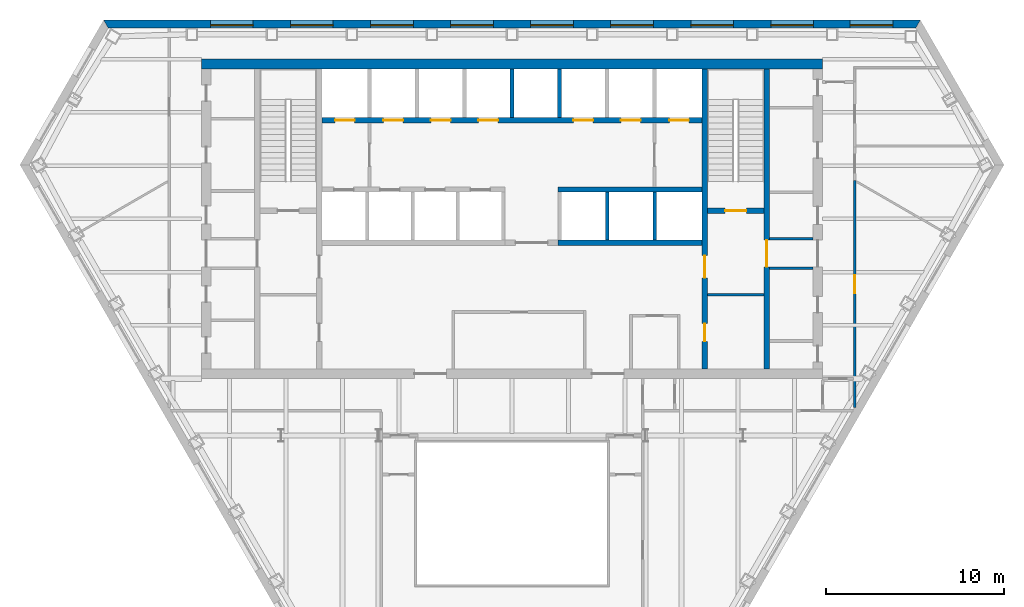
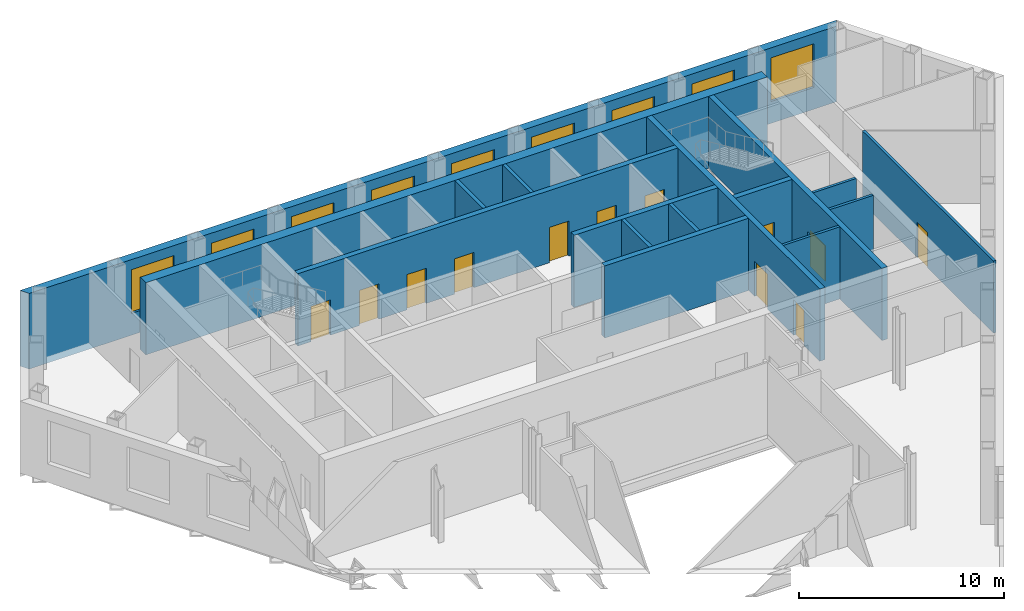
# One storey, part 7 of 11: 16 walls, 12 doors, 9 windows, 21 openings.
"""IFC4 building model written with IfcOpenShell, lengths in metres."""

from ifc_helpers import new_model, si_unit, direction, frame, frame_2d, origin, place, context, subcontext, project, spatial, polyline, rectangle, outline, extrude, material, layer, layer_set, type_object, element, fill, save


model = new_model("IFC4")

# Units and contexts
model_context = context("Model", 3, precision=1e-05, world=origin(), true_north=direction((0.0, 1.0)))
body_context = subcontext(model_context, "Body", "Model", "MODEL_VIEW")
ifc_project = project(units=[si_unit("LENGTHUNIT", "METRE"), si_unit("AREAUNIT", "SQUARE_METRE"), si_unit("VOLUMEUNIT", "CUBIC_METRE"), si_unit("PLANEANGLEUNIT", "RADIAN"), si_unit("MASSUNIT", "GRAM", prefix="KILO")], contexts=[model_context])

# Site, building, storey
site_placement = place(None, origin())
site = spatial("IfcSite", under=ifc_project, at=site_placement, CompositionType="ELEMENT")
building_placement = place(site_placement, origin())
building = spatial("IfcBuilding", under=site, at=building_placement, Name="Njiva Tower", CompositionType="ELEMENT")
storey_placement = place(building_placement, frame((0.0, 0.0, 124.8)))
storey = spatial("IfcBuildingStorey", under=building, at=storey_placement, Name="L26", CompositionType="ELEMENT", Elevation=124.8)

# Wall
ifc_material_1 = material(Name="Blockwork", Category="masonry")
ifc_layer_1 = layer(ifc_material_1, 0.15)
ifc_layer_set_1 = layer_set([ifc_layer_1], Name="Blockwork")
wall_type_1 = type_object("IfcWallType", Name="WT1 Compartment partition 150", PredefinedType="PARTITIONING", material=ifc_layer_set_1)
wall_1_placement = place(storey_placement, frame((11.0, 4.725, 0.0), z_axis=(0.0, 0.0, 1.0), x_axis=(1.0, 0.0, 0.0)))
element("IfcWall", 1, at=wall_1_placement, inside=storey, type_object=wall_type_1, Name="Room wall B", PredefinedType="PARTITIONING", context=body_context, shape_type="SweptSolid", body=[
    extrude(rectangle(XDim=3.2, YDim=0.15, at=frame_2d((1.6, 0.0))), origin(), (0.0, 0.0, 1.0), 4.3),
])

# Wall, openings, doors
ifc_material_2 = material(Name="Concrete C40/50", Category="concrete")
ifc_layer_2 = layer(ifc_material_2, 0.3)
ifc_layer_set_2 = layer_set([ifc_layer_2], Name="Concrete C40/50")
wall_type_2 = type_object("IfcWallType", Name="WT10 Stair enclosure wall 300", PredefinedType="SHEAR", material=ifc_layer_set_2)
wall_2_placement = place(storey_placement, frame((10.85, 0.55, 0.0), z_axis=(0.0, 0.0, 1.0), x_axis=(0.0, 1.0, 0.0)))
wall_2 = element("IfcWall", 2, at=wall_2_placement, inside=storey, type_object=wall_type_2, Name="Stair wall east inner", PredefinedType="SHEAR", context=body_context, shape_type="SweptSolid", body=[
    extrude(rectangle(XDim=16.9, YDim=0.3, at=frame_2d((8.45, 0.0))), origin(), (0.0, 0.0, 1.0), 4.3),
])
opening_1_placement = place(wall_2_placement, frame((5.125, 0.0, 0.0)))
opening_1 = element("IfcOpeningElement", 3, at=opening_1_placement, cuts=wall_2, Name="Opening S09-D918", PredefinedType="OPENING", context=body_context, shape_type="SweptSolid", body=[
    extrude(rectangle(XDim=1.25, YDim=2.1, at=frame_2d((0.625, 1.05))), frame((0.0, 0.16, 0.0), z_axis=(0.0, -1.0, 0.0), x_axis=(1.0, 0.0, 0.0)), (0.0, 0.0, 1.0), 0.32),
])
opening_2_placement = place(wall_2_placement, frame((1.55, 0.0, 0.0)))
opening_2 = element("IfcOpeningElement", 4, at=opening_2_placement, cuts=wall_2, Name="Opening S09-D919", PredefinedType="OPENING", context=body_context, shape_type="SweptSolid", body=[
    extrude(rectangle(XDim=1.0, YDim=2.1, at=frame_2d((0.5, 1.05))), frame((0.0, 0.16, 0.0), z_axis=(0.0, -1.0, 0.0), x_axis=(1.0, 0.0, 0.0)), (0.0, 0.0, 1.0), 0.32),
])
ifc_material_3 = material(Name="Steel door, painted", Category="steel")
door_type_1 = type_object("IfcDoorType", Name="D5 Steel door 1000x2100", OperationType="SINGLE_SWING_LEFT", PredefinedType="DOOR", material=ifc_material_3)
door_1_placement = place(opening_2_placement, origin())
door_1 = element("IfcDoor", 5, at=door_1_placement, inside=storey, type_object=door_type_1, Name="Prayer room door", OperationType="SINGLE_SWING_LEFT", OverallHeight=2.1, OverallWidth=1.0, PredefinedType="DOOR", context=body_context, shape_type="SweptSolid", body=[
    extrude(rectangle(XDim=1.0, YDim=2.1, at=frame_2d((0.5, 1.05))), frame((0.0, 0.025, 0.0), z_axis=(0.0, -1.0, 0.0), x_axis=(1.0, 0.0, 0.0)), (0.0, 0.0, 1.0), 0.05),
])
fill(opening_2, door_1)
ifc_material_4 = material(Name="Glazed steel fire door", Category="steel")
door_type_2 = type_object("IfcDoorType", Name="D8 Vestibule corridor door 1250x2100 glazed", OperationType="SINGLE_SWING_LEFT", PredefinedType="DOOR", material=ifc_material_4)
door_2_placement = place(opening_1_placement, origin())
door_2 = element("IfcDoor", 6, at=door_2_placement, inside=storey, type_object=door_type_2, Name="Stair vestibule corridor door", OperationType="SINGLE_SWING_RIGHT", OverallHeight=2.1, OverallWidth=1.25, PredefinedType="DOOR", context=body_context, shape_type="SweptSolid", body=[
    extrude(rectangle(XDim=1.25, YDim=2.1, at=frame_2d((0.625, 1.05))), frame((0.0, 0.025, 0.0), z_axis=(0.0, -1.0, 0.0), x_axis=(1.0, 0.0, 0.0)), (0.0, 0.0, 1.0), 0.05),
])
fill(opening_1, door_2)

# Wall, opening, door
wall_3_placement = place(storey_placement, frame((14.35, 0.55, 0.0), z_axis=(0.0, 0.0, 1.0), x_axis=(0.0, 1.0, 0.0)))
wall_3 = element("IfcWall", 7, at=wall_3_placement, inside=storey, type_object=wall_type_2, Name="Stair wall east outer", PredefinedType="SHEAR", context=body_context, shape_type="SweptSolid", body=[
    extrude(rectangle(XDim=16.9, YDim=0.3, at=frame_2d((8.45, 0.0))), origin(), (0.0, 0.0, 1.0), 4.3),
])
opening_3_placement = place(wall_3_placement, frame((5.75, 0.0, 0.0)))
opening_3 = element("IfcOpeningElement", 8, at=opening_3_placement, cuts=wall_3, Name="Opening S09-D927", PredefinedType="OPENING", context=body_context, shape_type="SweptSolid", body=[
    extrude(rectangle(XDim=1.5, YDim=2.1, at=frame_2d((0.75, 1.05))), frame((0.0, 0.16, 0.0), z_axis=(0.0, -1.0, 0.0), x_axis=(1.0, 0.0, 0.0)), (0.0, 0.0, 1.0), 0.32),
])
door_type_3 = type_object("IfcDoorType", Name="D10 Exit door double 1500x2100 glazed", OperationType="DOUBLE_DOOR_SINGLE_SWING", PredefinedType="DOOR", material=ifc_material_4)
door_3_placement = place(opening_3_placement, origin())
door_3 = element("IfcDoor", 9, at=door_3_placement, inside=storey, type_object=door_type_3, Name="Stair B passage door", OperationType="DOUBLE_DOOR_SINGLE_SWING", OverallHeight=2.1, OverallWidth=1.5, PredefinedType="DOOR", context=body_context, shape_type="SweptSolid", body=[
    extrude(rectangle(XDim=1.5, YDim=2.1, at=frame_2d((0.75, 1.05))), frame((0.0, 0.025, 0.0), z_axis=(0.0, -1.0, 0.0), x_axis=(1.0, 0.0, 0.0)), (0.0, 0.0, 1.0), 0.05),
])
fill(opening_3, door_3)

wall_4_placement = place(storey_placement, frame((11.0, 9.45, 0.0), z_axis=(0.0, 0.0, 1.0), x_axis=(1.0, 0.0, 0.0)))
wall_4 = element("IfcWall", 10, at=wall_4_placement, inside=storey, type_object=wall_type_2, Name="Stair B south wall", PredefinedType="SHEAR", context=body_context, shape_type="SweptSolid", body=[
    extrude(rectangle(XDim=3.2, YDim=0.3, at=frame_2d((1.6, 0.0))), origin(), (0.0, 0.0, 1.0), 4.3),
])
opening_4_placement = place(wall_4_placement, frame((1.0, 0.0, 0.0)))
opening_4 = element("IfcOpeningElement", 11, at=opening_4_placement, cuts=wall_4, Name="Opening S09-D917", PredefinedType="OPENING", context=body_context, shape_type="SweptSolid", body=[
    extrude(rectangle(XDim=1.2, YDim=2.1, at=frame_2d((0.6, 1.05))), frame((0.0, 0.16, 0.0), z_axis=(0.0, -1.0, 0.0), x_axis=(1.0, 0.0, 0.0)), (0.0, 0.0, 1.0), 0.32),
])
door_type_4 = type_object("IfcDoorType", Name="D7 Stair vestibule door 1200x2100 glazed", OperationType="SINGLE_SWING_LEFT", PredefinedType="DOOR", material=ifc_material_4)
door_4_placement = place(opening_4_placement, origin())
door_4 = element("IfcDoor", 12, at=door_4_placement, inside=storey, type_object=door_type_4, Name="Stair B door", OperationType="SINGLE_SWING_LEFT", OverallHeight=2.1, OverallWidth=1.2, PredefinedType="DOOR", context=body_context, shape_type="SweptSolid", body=[
    extrude(rectangle(XDim=1.2, YDim=2.1, at=frame_2d((0.6, 1.05))), frame((0.0, 0.025, 0.0), z_axis=(0.0, -1.0, 0.0), x_axis=(1.0, 0.0, 0.0)), (0.0, 0.0, 1.0), 0.05),
])
fill(opening_4, door_4)

# Wall
ifc_material_5 = material(Name="Concrete C60/75", Category="concrete")
ifc_layer_3 = layer(ifc_material_5, 0.55)
ifc_layer_set_3 = layer_set([ifc_layer_3], Name="Concrete C60/75")
wall_type_3 = type_object("IfcWallType", Name="WT14 Core wall 550", PredefinedType="SHEAR", material=ifc_layer_set_3)
wall_5_placement = place(storey_placement, frame((-17.5, 17.725, 0.0), z_axis=(0.0, 0.0, 1.0), x_axis=(1.0, 0.0, 0.0)))
element("IfcWall", 13, at=wall_5_placement, inside=storey, type_object=wall_type_3, Name="Core wall north", PredefinedType="SHEAR", context=body_context, shape_type="SweptSolid", body=[
    extrude(rectangle(XDim=35.0, YDim=0.55, at=frame_2d((17.5, 0.0))), origin(), (0.0, 0.0, 1.0), 4.3),
])

# Wall, opening, door
ifc_material_6 = material(Name="Gypsum board on steel studs", Category="gypsum")
ifc_layer_4 = layer(ifc_material_6, 0.15)
ifc_layer_set_4 = layer_set([ifc_layer_4], Name="Gypsum board on steel studs")
wall_type_4 = type_object("IfcWallType", Name="WT21 Compartment wall 150", PredefinedType="PARTITIONING", material=ifc_layer_set_4)
wall_6_placement = place(storey_placement, frame((19.3, -1.622, 0.0), z_axis=(0.0, 0.0, 1.0), x_axis=(0.0, 1.0, 0.0)))
wall_6 = element("IfcWall", 14, at=wall_6_placement, inside=storey, type_object=wall_type_4, Name="Partition S09-P021", PredefinedType="PARTITIONING", context=body_context, shape_type="SweptSolid", body=[
    extrude(rectangle(XDim=12.792, YDim=0.15, at=frame_2d((6.396, 0.0))), origin(), (0.0, 0.0, 1.0), 4.3),
])
opening_5_placement = place(wall_6_placement, frame((6.443, 0.0, 0.0)))
opening_5 = element("IfcOpeningElement", 15, at=opening_5_placement, cuts=wall_6, Name="Opening S09-D015", PredefinedType="OPENING", context=body_context, shape_type="SweptSolid", body=[
    extrude(rectangle(XDim=1.0, YDim=2.1, at=frame_2d((0.5, 1.05))), frame((0.0, 0.085, 0.0), z_axis=(0.0, -1.0, 0.0), x_axis=(1.0, 0.0, 0.0)), (0.0, 0.0, 1.0), 0.17),
])
ifc_material_7 = material(Name="Steel fire door set", Category="steel")
door_type_5 = type_object("IfcDoorType", Name="D37 Fire door 1000x2100", OperationType="SINGLE_SWING_LEFT", PredefinedType="DOOR", material=ifc_material_7)
door_5_placement = place(opening_5_placement, origin())
door_5 = element("IfcDoor", 16, at=door_5_placement, inside=storey, type_object=door_type_5, Name="Door S09-D015", OperationType="SINGLE_SWING_RIGHT", OverallHeight=2.1, OverallWidth=1.0, PredefinedType="DOOR", context=body_context, shape_type="SweptSolid", body=[
    extrude(rectangle(XDim=1.0, YDim=2.1, at=frame_2d((0.5, 1.05))), frame((0.0, 0.025, 0.0), z_axis=(0.0, -1.0, 0.0), x_axis=(1.0, 0.0, 0.0)), (0.0, 0.0, 1.0), 0.05),
])
fill(opening_5, door_5)

# Walls
ifc_layer_5 = layer(ifc_material_1, 0.15)
ifc_layer_set_5 = layer_set([ifc_layer_5], Name="Blockwork")
wall_type_5 = type_object("IfcWallType", Name="WT4 Stair partition 150", PredefinedType="PARTITIONING", material=ifc_layer_set_5)
for number, where, z_axis, x_axis, name in (
    (17, (14.5, 6.225, 0.0), (0.0, 0.0, 1.0), (1.0, 0.0, 0.0), "Stair B exit passage wall south"),
    (18, (14.5, 7.875, 0.0), (0.0, 0.0, 1.0), (1.0, 0.0, 0.0), "Stair B exit passage wall north"),
):
    element("IfcWall", number, at=place(storey_placement, frame(where, z_axis=z_axis, x_axis=x_axis)), inside=storey, type_object=wall_type_5, Name=name, PredefinedType="PARTITIONING", context=body_context, shape_type="SweptSolid", body=[
        extrude(rectangle(XDim=2.45, YDim=0.15, at=frame_2d((1.225, 0.0))), origin(), (0.0, 0.0, 1.0), 4.3),
    ])
ifc_layer_6 = layer(ifc_material_2, 0.2)
ifc_layer_set_6 = layer_set([ifc_layer_6], Name="Concrete C40/50")
wall_type_6 = type_object("IfcWallType", Name="WT6 Lift shaft wall 200", PredefinedType="SHEAR", material=ifc_layer_set_6)
for number, where, z_axis, x_axis, name in (
    (19, (0.0, 14.7, 0.0), (0.0, 0.0, 1.0), (0.0, 1.0, 0.0), "Shaft wall CN4"),
    (20, (2.675, 14.7, 0.0), (0.0, 0.0, 1.0), (0.0, 1.0, 0.0), "Shaft wall CN5"),
):
    element("IfcWall", number, at=place(storey_placement, frame(where, z_axis=z_axis, x_axis=x_axis)), inside=storey, type_object=wall_type_6, Name=name, PredefinedType="SHEAR", context=body_context, shape_type="SweptSolid", body=[
        extrude(rectangle(XDim=2.75, YDim=0.2, at=frame_2d((1.375, 0.0))), origin(), (0.0, 0.0, 1.0), 4.3),
    ])
for number, where, z_axis, x_axis, name in (
    (21, (5.3667, 7.8, 0.0), (0.0, 0.0, 1.0), (0.0, 1.0, 0.0), "Shaft wall CS6"),
    (22, (8.0333, 7.8, 0.0), (0.0, 0.0, 1.0), (0.0, 1.0, 0.0), "Shaft wall CS7"),
):
    element("IfcWall", number, at=place(storey_placement, frame(where, z_axis=z_axis, x_axis=x_axis)), inside=storey, type_object=wall_type_6, Name=name, PredefinedType="SHEAR", context=body_context, shape_type="SweptSolid", body=[
        extrude(rectangle(XDim=2.7, YDim=0.2, at=frame_2d((1.35, 0.0))), origin(), (0.0, 0.0, 1.0), 4.3),
    ])

# Wall, openings, doors
ifc_layer_7 = layer(ifc_material_2, 0.3)
ifc_layer_set_7 = layer_set([ifc_layer_7], Name="Concrete C40/50")
wall_type_7 = type_object("IfcWallType", Name="WT7 Lift shaft wall 300", PredefinedType="SHEAR", material=ifc_layer_set_7)
wall_7_placement = place(storey_placement, frame((-10.7, 14.55, 0.0), z_axis=(0.0, 0.0, 1.0), x_axis=(1.0, 0.0, 0.0)))
wall_7 = element("IfcWall", 23, at=wall_7_placement, inside=storey, type_object=wall_type_7, Name="Shaft wall north row lobby side", PredefinedType="SHEAR", context=body_context, shape_type="SweptSolid", body=[
    extrude(rectangle(XDim=21.4, YDim=0.3, at=frame_2d((10.7, 0.0))), origin(), (0.0, 0.0, 1.0), 4.3),
])
opening_6_placement = place(wall_7_placement, frame((0.7375, 0.0, 0.0)))
opening_6 = element("IfcOpeningElement", 24, at=opening_6_placement, cuts=wall_7, Name="Opening S09-D901", PredefinedType="OPENING", context=body_context, shape_type="SweptSolid", body=[
    extrude(rectangle(XDim=1.1, YDim=2.1, at=frame_2d((0.55, 1.05))), frame((0.0, 0.16, 0.0), z_axis=(0.0, -1.0, 0.0), x_axis=(1.0, 0.0, 0.0)), (0.0, 0.0, 1.0), 0.32),
])
opening_7_placement = place(wall_7_placement, frame((3.4625, 0.0, 0.0)))
opening_7 = element("IfcOpeningElement", 25, at=opening_7_placement, cuts=wall_7, Name="Opening S09-D902", PredefinedType="OPENING", context=body_context, shape_type="SweptSolid", body=[
    extrude(rectangle(XDim=1.1, YDim=2.1, at=frame_2d((0.55, 1.05))), frame((0.0, 0.16, 0.0), z_axis=(0.0, -1.0, 0.0), x_axis=(1.0, 0.0, 0.0)), (0.0, 0.0, 1.0), 0.32),
])
opening_8_placement = place(wall_7_placement, frame((6.1375, 0.0, 0.0)))
opening_8 = element("IfcOpeningElement", 26, at=opening_8_placement, cuts=wall_7, Name="Opening S09-D903", PredefinedType="OPENING", context=body_context, shape_type="SweptSolid", body=[
    extrude(rectangle(XDim=1.1, YDim=2.1, at=frame_2d((0.55, 1.05))), frame((0.0, 0.16, 0.0), z_axis=(0.0, -1.0, 0.0), x_axis=(1.0, 0.0, 0.0)), (0.0, 0.0, 1.0), 0.32),
])
opening_9_placement = place(wall_7_placement, frame((8.8125, 0.0, 0.0)))
opening_9 = element("IfcOpeningElement", 27, at=opening_9_placement, cuts=wall_7, Name="Opening S09-D904", PredefinedType="OPENING", context=body_context, shape_type="SweptSolid", body=[
    extrude(rectangle(XDim=1.1, YDim=2.1, at=frame_2d((0.55, 1.05))), frame((0.0, 0.16, 0.0), z_axis=(0.0, -1.0, 0.0), x_axis=(1.0, 0.0, 0.0)), (0.0, 0.0, 1.0), 0.32),
])
opening_10_placement = place(wall_7_placement, frame((14.1625, 0.0, 0.0)))
opening_10 = element("IfcOpeningElement", 28, at=opening_10_placement, cuts=wall_7, Name="Opening S09-D905", PredefinedType="OPENING", context=body_context, shape_type="SweptSolid", body=[
    extrude(rectangle(XDim=1.1, YDim=2.1, at=frame_2d((0.55, 1.05))), frame((0.0, 0.16, 0.0), z_axis=(0.0, -1.0, 0.0), x_axis=(1.0, 0.0, 0.0)), (0.0, 0.0, 1.0), 0.32),
])
opening_11_placement = place(wall_7_placement, frame((16.8375, 0.0, 0.0)))
opening_11 = element("IfcOpeningElement", 29, at=opening_11_placement, cuts=wall_7, Name="Opening S09-D906", PredefinedType="OPENING", context=body_context, shape_type="SweptSolid", body=[
    extrude(rectangle(XDim=1.1, YDim=2.1, at=frame_2d((0.55, 1.05))), frame((0.0, 0.16, 0.0), z_axis=(0.0, -1.0, 0.0), x_axis=(1.0, 0.0, 0.0)), (0.0, 0.0, 1.0), 0.32),
])
opening_12_placement = place(wall_7_placement, frame((19.5625, 0.0, 0.0)))
opening_12 = element("IfcOpeningElement", 30, at=opening_12_placement, cuts=wall_7, Name="Opening S09-D907", PredefinedType="OPENING", context=body_context, shape_type="SweptSolid", body=[
    extrude(rectangle(XDim=1.1, YDim=2.1, at=frame_2d((0.55, 1.05))), frame((0.0, 0.16, 0.0), z_axis=(0.0, -1.0, 0.0), x_axis=(1.0, 0.0, 0.0)), (0.0, 0.0, 1.0), 0.32),
])
ifc_material_8 = material(Name="Stainless steel sliding door", Category="steel")
door_type_6 = type_object("IfcDoorType", Name="LD Lift landing door 1100x2100", OperationType="SLIDING_TO_LEFT", PredefinedType="DOOR", material=ifc_material_8)
door_6_placement = place(opening_6_placement, origin())
door_6 = element("IfcDoor", 31, at=door_6_placement, inside=storey, type_object=door_type_6, Name="Lift landing door FF1", OperationType="SLIDING_TO_LEFT", OverallHeight=2.1, OverallWidth=1.1, PredefinedType="DOOR", context=body_context, shape_type="SweptSolid", body=[
    extrude(rectangle(XDim=1.1, YDim=2.1, at=frame_2d((0.55, 1.05))), frame((0.0, 0.025, 0.0), z_axis=(0.0, -1.0, 0.0), x_axis=(1.0, 0.0, 0.0)), (0.0, 0.0, 1.0), 0.05),
])
fill(opening_6, door_6)
door_7_placement = place(opening_7_placement, origin())
door_7 = element("IfcDoor", 32, at=door_7_placement, inside=storey, type_object=door_type_6, Name="Lift landing door LB1", OperationType="SLIDING_TO_LEFT", OverallHeight=2.1, OverallWidth=1.1, PredefinedType="DOOR", context=body_context, shape_type="SweptSolid", body=[
    extrude(rectangle(XDim=1.1, YDim=2.1, at=frame_2d((0.55, 1.05))), frame((0.0, 0.025, 0.0), z_axis=(0.0, -1.0, 0.0), x_axis=(1.0, 0.0, 0.0)), (0.0, 0.0, 1.0), 0.05),
])
fill(opening_7, door_7)
door_8_placement = place(opening_8_placement, origin())
door_8 = element("IfcDoor", 33, at=door_8_placement, inside=storey, type_object=door_type_6, Name="Lift landing door LB2", OperationType="SLIDING_TO_LEFT", OverallHeight=2.1, OverallWidth=1.1, PredefinedType="DOOR", context=body_context, shape_type="SweptSolid", body=[
    extrude(rectangle(XDim=1.1, YDim=2.1, at=frame_2d((0.55, 1.05))), frame((0.0, 0.025, 0.0), z_axis=(0.0, -1.0, 0.0), x_axis=(1.0, 0.0, 0.0)), (0.0, 0.0, 1.0), 0.05),
])
fill(opening_8, door_8)
door_9_placement = place(opening_9_placement, origin())
door_9 = element("IfcDoor", 34, at=door_9_placement, inside=storey, type_object=door_type_6, Name="Lift landing door LB3", OperationType="SLIDING_TO_LEFT", OverallHeight=2.1, OverallWidth=1.1, PredefinedType="DOOR", context=body_context, shape_type="SweptSolid", body=[
    extrude(rectangle(XDim=1.1, YDim=2.1, at=frame_2d((0.55, 1.05))), frame((0.0, 0.025, 0.0), z_axis=(0.0, -1.0, 0.0), x_axis=(1.0, 0.0, 0.0)), (0.0, 0.0, 1.0), 0.05),
])
fill(opening_9, door_9)
door_10_placement = place(opening_10_placement, origin())
door_10 = element("IfcDoor", 35, at=door_10_placement, inside=storey, type_object=door_type_6, Name="Lift landing door FR1", OperationType="SLIDING_TO_LEFT", OverallHeight=2.1, OverallWidth=1.1, PredefinedType="DOOR", context=body_context, shape_type="SweptSolid", body=[
    extrude(rectangle(XDim=1.1, YDim=2.1, at=frame_2d((0.55, 1.05))), frame((0.0, 0.025, 0.0), z_axis=(0.0, -1.0, 0.0), x_axis=(1.0, 0.0, 0.0)), (0.0, 0.0, 1.0), 0.05),
])
fill(opening_10, door_10)
door_11_placement = place(opening_11_placement, origin())
door_11 = element("IfcDoor", 36, at=door_11_placement, inside=storey, type_object=door_type_6, Name="Lift landing door FR2", OperationType="SLIDING_TO_LEFT", OverallHeight=2.1, OverallWidth=1.1, PredefinedType="DOOR", context=body_context, shape_type="SweptSolid", body=[
    extrude(rectangle(XDim=1.1, YDim=2.1, at=frame_2d((0.55, 1.05))), frame((0.0, 0.025, 0.0), z_axis=(0.0, -1.0, 0.0), x_axis=(1.0, 0.0, 0.0)), (0.0, 0.0, 1.0), 0.05),
])
fill(opening_11, door_11)
door_12_placement = place(opening_12_placement, origin())
door_12 = element("IfcDoor", 37, at=door_12_placement, inside=storey, type_object=door_type_6, Name="Lift landing door FF2", OperationType="SLIDING_TO_LEFT", OverallHeight=2.1, OverallWidth=1.1, PredefinedType="DOOR", context=body_context, shape_type="SweptSolid", body=[
    extrude(rectangle(XDim=1.1, YDim=2.1, at=frame_2d((0.55, 1.05))), frame((0.0, 0.025, 0.0), z_axis=(0.0, -1.0, 0.0), x_axis=(1.0, 0.0, 0.0)), (0.0, 0.0, 1.0), 0.05),
])
fill(opening_12, door_12)

# Walls
for number, where, z_axis, x_axis, name in (
    (38, (2.6, 10.65, 0.0), (0.0, 0.0, 1.0), (1.0, 0.0, 0.0), "Shaft wall south row lobby side E"),
    (39, (2.6, 7.65, 0.0), (0.0, 0.0, 1.0), (1.0, 0.0, 0.0), "Shaft wall south row back E"),
):
    element("IfcWall", number, at=place(storey_placement, frame(where, z_axis=z_axis, x_axis=x_axis)), inside=storey, type_object=wall_type_7, Name=name, PredefinedType="SHEAR", context=body_context, shape_type="SweptSolid", body=[
        extrude(rectangle(XDim=8.1, YDim=0.3, at=frame_2d((4.05, 0.0))), origin(), (0.0, 0.0, 1.0), 4.3),
    ])

# Wall, openings, windows
ifc_material_9 = material(Name="Brick masonry", Category="masonry")
ifc_layer_8 = layer(ifc_material_9, 0.45)
ifc_layer_set_8 = layer_set([ifc_layer_8], Name="Brick masonry")
wall_type_8 = type_object("IfcWallType", Name="WT90 Brick pier and spandrel wall 450", PredefinedType="SOLIDWALL", material=ifc_layer_set_8)
wall_8_placement = place(storey_placement, frame((22.8701, 19.975, -0.4), z_axis=(0.0, 0.0, 1.0), x_axis=(-1.0, 0.0, 0.0)))
wall_8 = element("IfcWall", 40, at=wall_8_placement, inside=storey, type_object=wall_type_8, Name="Facade wall N", PredefinedType="SOLIDWALL", context=body_context, shape_type="SweptSolid", body=[
    extrude(outline(polyline([(-0.1299, -0.225), (45.8701, -0.225), (45.6103, 0.225), (0.1299, 0.225), (-0.1299, -0.225)])), origin(), (0.0, 0.0, 1.0), 4.5),
])
opening_13_placement = place(wall_8_placement, frame((1.4242, 0.0, 1.3)))
opening_13 = element("IfcOpeningElement", 41, at=opening_13_placement, cuts=wall_8, Name="Opening S09-W01", PredefinedType="OPENING", context=body_context, shape_type="SweptSolid", body=[
    extrude(rectangle(XDim=2.4, YDim=2.6, at=frame_2d((1.2, 1.3))), frame((0.0, 0.235, 0.0), z_axis=(0.0, -1.0, 0.0), x_axis=(1.0, 0.0, 0.0)), (0.0, 0.0, 1.0), 0.47),
])
opening_14_placement = place(wall_8_placement, frame((5.8934, 0.0, 1.3)))
opening_14 = element("IfcOpeningElement", 42, at=opening_14_placement, cuts=wall_8, Name="Opening S09-W02", PredefinedType="OPENING", context=body_context, shape_type="SweptSolid", body=[
    extrude(rectangle(XDim=2.4, YDim=2.6, at=frame_2d((1.2, 1.3))), frame((0.0, 0.235, 0.0), z_axis=(0.0, -1.0, 0.0), x_axis=(1.0, 0.0, 0.0)), (0.0, 0.0, 1.0), 0.47),
])
opening_15_placement = place(wall_8_placement, frame((10.401, 0.0, 1.3)))
opening_15 = element("IfcOpeningElement", 43, at=opening_15_placement, cuts=wall_8, Name="Opening S09-W03", PredefinedType="OPENING", context=body_context, shape_type="SweptSolid", body=[
    extrude(rectangle(XDim=2.4, YDim=2.6, at=frame_2d((1.2, 1.3))), frame((0.0, 0.235, 0.0), z_axis=(0.0, -1.0, 0.0), x_axis=(1.0, 0.0, 0.0)), (0.0, 0.0, 1.0), 0.47),
])
opening_16_placement = place(wall_8_placement, frame((14.9087, 0.0, 1.3)))
opening_16 = element("IfcOpeningElement", 44, at=opening_16_placement, cuts=wall_8, Name="Opening S09-W04", PredefinedType="OPENING", context=body_context, shape_type="SweptSolid", body=[
    extrude(rectangle(XDim=2.4, YDim=2.6, at=frame_2d((1.2, 1.3))), frame((0.0, 0.235, 0.0), z_axis=(0.0, -1.0, 0.0), x_axis=(1.0, 0.0, 0.0)), (0.0, 0.0, 1.0), 0.47),
])
opening_17_placement = place(wall_8_placement, frame((19.4163, 0.0, 1.3)))
opening_17 = element("IfcOpeningElement", 45, at=opening_17_placement, cuts=wall_8, Name="Opening S09-W05", PredefinedType="OPENING", context=body_context, shape_type="SweptSolid", body=[
    extrude(rectangle(XDim=2.4, YDim=2.6, at=frame_2d((1.2, 1.3))), frame((0.0, 0.235, 0.0), z_axis=(0.0, -1.0, 0.0), x_axis=(1.0, 0.0, 0.0)), (0.0, 0.0, 1.0), 0.47),
])
opening_18_placement = place(wall_8_placement, frame((23.9239, 0.0, 1.3)))
opening_18 = element("IfcOpeningElement", 46, at=opening_18_placement, cuts=wall_8, Name="Opening S09-W06", PredefinedType="OPENING", context=body_context, shape_type="SweptSolid", body=[
    extrude(rectangle(XDim=2.4, YDim=2.6, at=frame_2d((1.2, 1.3))), frame((0.0, 0.235, 0.0), z_axis=(0.0, -1.0, 0.0), x_axis=(1.0, 0.0, 0.0)), (0.0, 0.0, 1.0), 0.47),
])
opening_19_placement = place(wall_8_placement, frame((28.4315, 0.0, 1.3)))
opening_19 = element("IfcOpeningElement", 47, at=opening_19_placement, cuts=wall_8, Name="Opening S09-W07", PredefinedType="OPENING", context=body_context, shape_type="SweptSolid", body=[
    extrude(rectangle(XDim=2.4, YDim=2.6, at=frame_2d((1.2, 1.3))), frame((0.0, 0.235, 0.0), z_axis=(0.0, -1.0, 0.0), x_axis=(1.0, 0.0, 0.0)), (0.0, 0.0, 1.0), 0.47),
])
opening_20_placement = place(wall_8_placement, frame((32.9391, 0.0, 1.3)))
opening_20 = element("IfcOpeningElement", 48, at=opening_20_placement, cuts=wall_8, Name="Opening S09-W08", PredefinedType="OPENING", context=body_context, shape_type="SweptSolid", body=[
    extrude(rectangle(XDim=2.4, YDim=2.6, at=frame_2d((1.2, 1.3))), frame((0.0, 0.235, 0.0), z_axis=(0.0, -1.0, 0.0), x_axis=(1.0, 0.0, 0.0)), (0.0, 0.0, 1.0), 0.47),
])
opening_21_placement = place(wall_8_placement, frame((37.4468, 0.0, 1.3)))
opening_21 = element("IfcOpeningElement", 49, at=opening_21_placement, cuts=wall_8, Name="Opening S09-W09", PredefinedType="OPENING", context=body_context, shape_type="SweptSolid", body=[
    extrude(rectangle(XDim=2.4, YDim=2.6, at=frame_2d((1.2, 1.3))), frame((0.0, 0.235, 0.0), z_axis=(0.0, -1.0, 0.0), x_axis=(1.0, 0.0, 0.0)), (0.0, 0.0, 1.0), 0.47),
])
ifc_material_10 = material(Name="Clear glazing in aluminium frame", Category="aluminium")
window_type = type_object("IfcWindowType", Name="W92 Deep-set window 2400x2600", PartitioningType="SINGLE_PANEL", PredefinedType="WINDOW", material=ifc_material_10)
window_1_placement = place(opening_13_placement, origin())
window_1 = element("IfcWindow", 50, at=window_1_placement, inside=storey, type_object=window_type, Name="Window", OverallHeight=2.6, OverallWidth=2.4, PartitioningType="SINGLE_PANEL", PredefinedType="WINDOW", context=body_context, shape_type="SweptSolid", body=[
    extrude(rectangle(XDim=2.4, YDim=2.6, at=frame_2d((1.2, 1.3))), frame((0.0, 0.105, 0.0), z_axis=(0.0, -1.0, 0.0), x_axis=(1.0, 0.0, 0.0)), (0.0, 0.0, 1.0), 0.06),
])
fill(opening_13, window_1)
window_2_placement = place(opening_14_placement, origin())
window_2 = element("IfcWindow", 51, at=window_2_placement, inside=storey, type_object=window_type, Name="Window", OverallHeight=2.6, OverallWidth=2.4, PartitioningType="SINGLE_PANEL", PredefinedType="WINDOW", context=body_context, shape_type="SweptSolid", body=[
    extrude(rectangle(XDim=2.4, YDim=2.6, at=frame_2d((1.2, 1.3))), frame((0.0, 0.105, 0.0), z_axis=(0.0, -1.0, 0.0), x_axis=(1.0, 0.0, 0.0)), (0.0, 0.0, 1.0), 0.06),
])
fill(opening_14, window_2)
window_3_placement = place(opening_15_placement, origin())
window_3 = element("IfcWindow", 52, at=window_3_placement, inside=storey, type_object=window_type, Name="Window", OverallHeight=2.6, OverallWidth=2.4, PartitioningType="SINGLE_PANEL", PredefinedType="WINDOW", context=body_context, shape_type="SweptSolid", body=[
    extrude(rectangle(XDim=2.4, YDim=2.6, at=frame_2d((1.2, 1.3))), frame((0.0, 0.105, 0.0), z_axis=(0.0, -1.0, 0.0), x_axis=(1.0, 0.0, 0.0)), (0.0, 0.0, 1.0), 0.06),
])
fill(opening_15, window_3)
window_4_placement = place(opening_16_placement, origin())
window_4 = element("IfcWindow", 53, at=window_4_placement, inside=storey, type_object=window_type, Name="Window", OverallHeight=2.6, OverallWidth=2.4, PartitioningType="SINGLE_PANEL", PredefinedType="WINDOW", context=body_context, shape_type="SweptSolid", body=[
    extrude(rectangle(XDim=2.4, YDim=2.6, at=frame_2d((1.2, 1.3))), frame((0.0, 0.105, 0.0), z_axis=(0.0, -1.0, 0.0), x_axis=(1.0, 0.0, 0.0)), (0.0, 0.0, 1.0), 0.06),
])
fill(opening_16, window_4)
window_5_placement = place(opening_17_placement, origin())
window_5 = element("IfcWindow", 54, at=window_5_placement, inside=storey, type_object=window_type, Name="Window", OverallHeight=2.6, OverallWidth=2.4, PartitioningType="SINGLE_PANEL", PredefinedType="WINDOW", context=body_context, shape_type="SweptSolid", body=[
    extrude(rectangle(XDim=2.4, YDim=2.6, at=frame_2d((1.2, 1.3))), frame((0.0, 0.105, 0.0), z_axis=(0.0, -1.0, 0.0), x_axis=(1.0, 0.0, 0.0)), (0.0, 0.0, 1.0), 0.06),
])
fill(opening_17, window_5)
window_6_placement = place(opening_18_placement, origin())
window_6 = element("IfcWindow", 55, at=window_6_placement, inside=storey, type_object=window_type, Name="Window", OverallHeight=2.6, OverallWidth=2.4, PartitioningType="SINGLE_PANEL", PredefinedType="WINDOW", context=body_context, shape_type="SweptSolid", body=[
    extrude(rectangle(XDim=2.4, YDim=2.6, at=frame_2d((1.2, 1.3))), frame((0.0, 0.105, 0.0), z_axis=(0.0, -1.0, 0.0), x_axis=(1.0, 0.0, 0.0)), (0.0, 0.0, 1.0), 0.06),
])
fill(opening_18, window_6)
window_7_placement = place(opening_19_placement, origin())
window_7 = element("IfcWindow", 56, at=window_7_placement, inside=storey, type_object=window_type, Name="Window", OverallHeight=2.6, OverallWidth=2.4, PartitioningType="SINGLE_PANEL", PredefinedType="WINDOW", context=body_context, shape_type="SweptSolid", body=[
    extrude(rectangle(XDim=2.4, YDim=2.6, at=frame_2d((1.2, 1.3))), frame((0.0, 0.105, 0.0), z_axis=(0.0, -1.0, 0.0), x_axis=(1.0, 0.0, 0.0)), (0.0, 0.0, 1.0), 0.06),
])
fill(opening_19, window_7)
window_8_placement = place(opening_20_placement, origin())
window_8 = element("IfcWindow", 57, at=window_8_placement, inside=storey, type_object=window_type, Name="Window", OverallHeight=2.6, OverallWidth=2.4, PartitioningType="SINGLE_PANEL", PredefinedType="WINDOW", context=body_context, shape_type="SweptSolid", body=[
    extrude(rectangle(XDim=2.4, YDim=2.6, at=frame_2d((1.2, 1.3))), frame((0.0, 0.105, 0.0), z_axis=(0.0, -1.0, 0.0), x_axis=(1.0, 0.0, 0.0)), (0.0, 0.0, 1.0), 0.06),
])
fill(opening_20, window_8)
window_9_placement = place(opening_21_placement, origin())
window_9 = element("IfcWindow", 58, at=window_9_placement, inside=storey, type_object=window_type, Name="Window", OverallHeight=2.6, OverallWidth=2.4, PartitioningType="SINGLE_PANEL", PredefinedType="WINDOW", context=body_context, shape_type="SweptSolid", body=[
    extrude(rectangle(XDim=2.4, YDim=2.6, at=frame_2d((1.2, 1.3))), frame((0.0, 0.105, 0.0), z_axis=(0.0, -1.0, 0.0), x_axis=(1.0, 0.0, 0.0)), (0.0, 0.0, 1.0), 0.06),
])
fill(opening_21, window_9)

save(model, "model.ifc")
